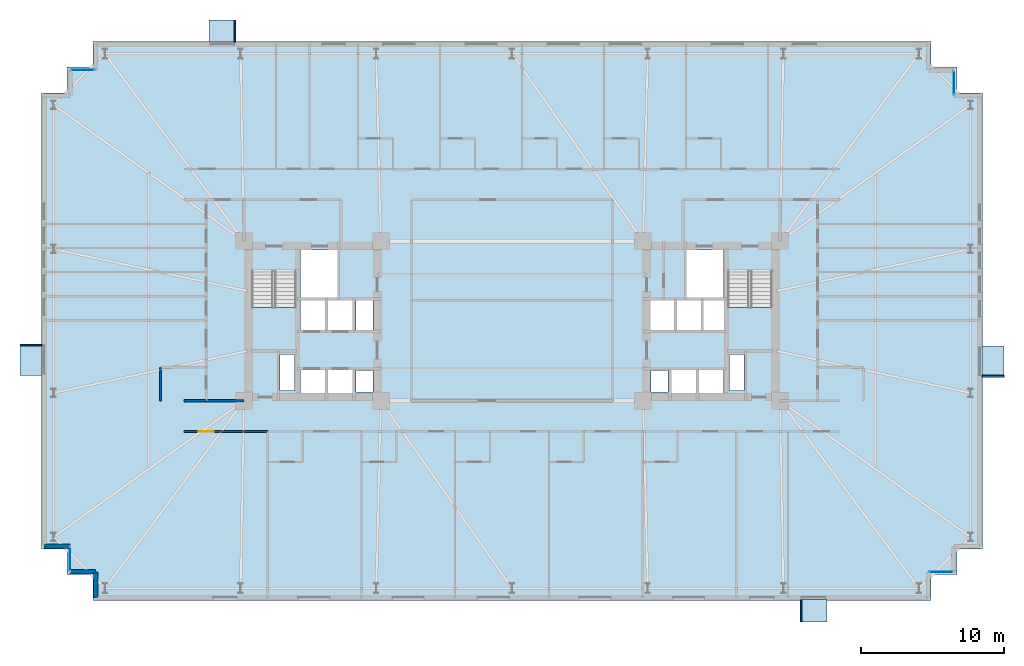
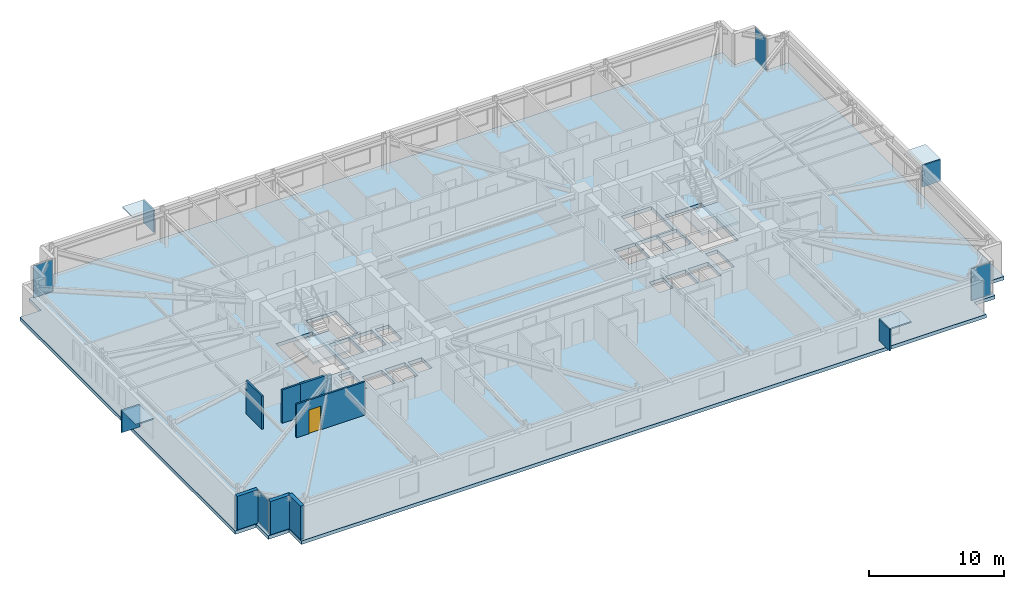
# One storey, part 13 of 21: 12 plates, 7 walls, 3 slabs, 1 door, 1 opening, 6 elements without a shape of their own.
"""IFC4 building model written with IfcOpenShell, lengths in metres."""

import ifcopenshell
import ifcopenshell.guid

model = None  # the IFC model being written
_history = None  # IfcOwnerHistory: only IFC2X3 demands one
_inside = {}  # id of a spatial element -> (the spatial element, [elements in it])
_under = {}  # id of a project, library or spatial element -> (it, [spatial elements below it])
_declared = {}  # id of a project -> (the project, [libraries it declares])
_typed = {}  # id of a type object -> (the type object, [elements of that type])
_made_of = {}  # id of a material, layer set ... -> (it, [elements and type objects made of it])


def new_model(schema):
    """Start an empty IFC model of exactly this schema.

    Asked for "IFC4X3", IfcOpenShell would pick the latest addendum, in which some entities
    have other attributes; the version numbers below select the first issue.
    IFC2X3 requires an IfcOwnerHistory on every rooted entity: one is made here for all.
    """
    global model, _history
    if schema == "IFC4X3":
        model = ifcopenshell.file(schema_version=(4, 3, 0, 0))
    else:
        model = ifcopenshell.file(schema=schema)
    _inside.clear()
    _under.clear()
    _declared.clear()
    _typed.clear()
    _made_of.clear()
    _history = None
    if model.schema == "IFC2X3":
        org = make("IfcOrganization", Name="unknown")
        user = make(
            "IfcPersonAndOrganization",
            ThePerson=make("IfcPerson", FamilyName="unknown"),
            TheOrganization=org,
        )
        app = make(
            "IfcApplication",
            ApplicationDeveloper=org,
            Version="unknown",
            ApplicationFullName="unknown",
            ApplicationIdentifier="unknown",
        )
        _history = make(
            "IfcOwnerHistory",
            OwningUser=user,
            OwningApplication=app,
            ChangeAction="ADDED",
            CreationDate=0,
        )
    return model


def make(cls, **values):
    """One entity of the class cls with the attributes given. An attribute that is None is left unset."""
    return model.create_entity(
        cls, **{name: value for name, value in values.items() if value is not None}
    )


def rooted(cls, **values):
    """An entity with a GlobalId (a new one), such as an element, a storey or a relation."""
    return make(cls, GlobalId=ifcopenshell.guid.new(), OwnerHistory=_history, **values)


def si_unit(unit_type, name, prefix=None):
    """IfcSIUnit, for example si_unit("LENGTHUNIT", "METRE", prefix="MILLI")."""
    return make("IfcSIUnit", UnitType=unit_type, Prefix=prefix, Name=name)


def assignment(units):
    """IfcUnitAssignment: the units of a project."""
    return None if units is None else make("IfcUnitAssignment", Units=units)


def point(xyz):
    """IfcCartesianPoint."""
    return None if xyz is None else make("IfcCartesianPoint", Coordinates=xyz)


def direction(xyz):
    """IfcDirection."""
    return None if xyz is None else make("IfcDirection", DirectionRatios=xyz)


def frame(location, z_axis=None, x_axis=None):
    """IfcAxis2Placement3D, a coordinate frame: its origin and axes. An axis left out is left unset."""
    return make(
        "IfcAxis2Placement3D",
        Location=point(location),
        Axis=direction(z_axis),
        RefDirection=direction(x_axis),
    )


def frame_2d(location, x_axis=None):
    """IfcAxis2Placement2D, a coordinate frame in the plane: its origin and x axis."""
    return make(
        "IfcAxis2Placement2D", Location=point(location), RefDirection=direction(x_axis)
    )


def origin():
    """The frame at (0, 0, 0) with its axes left unset."""
    return frame((0.0, 0.0, 0.0))


def origin_2d():
    """The frame at (0, 0) in the plane with its x axis left unset."""
    return frame_2d((0.0, 0.0))


def place(relative_to, where):
    """IfcLocalPlacement: puts the frame where relative to a parent placement (None: the world)."""
    return make(
        "IfcLocalPlacement", PlacementRelTo=relative_to, RelativePlacement=where
    )


def context(
    kind, dimensions, precision=None, world=None, true_north=None, identifier=None
):
    """IfcGeometricRepresentationContext, for example the 3D "Model" context."""
    return make(
        "IfcGeometricRepresentationContext",
        ContextIdentifier=identifier,
        ContextType=kind,
        CoordinateSpaceDimension=dimensions,
        Precision=precision,
        WorldCoordinateSystem=world,
        TrueNorth=true_north,
    )


def subcontext(parent, identifier, kind, view, scale=None):
    """IfcGeometricRepresentationSubContext, for example "Body" below "Model"."""
    return make(
        "IfcGeometricRepresentationSubContext",
        ContextIdentifier=identifier,
        ContextType=kind,
        ParentContext=parent,
        TargetScale=scale,
        TargetView=view,
    )


def project(units=None, contexts=None):
    """IfcProject with its units and contexts."""
    return rooted(
        "IfcProject",
        Name="project",
        RepresentationContexts=contexts,
        UnitsInContext=assignment(units),
    )


def spatial(cls, under=None, at=None, **own):
    """A site, building, storey or space (cls), placed at a placement, below another one or the project."""
    s = rooted(cls, ObjectPlacement=at, **own)
    if under is not None:
        _under.setdefault(under.id(), (under, []))[1].append(s)
    return s


def polyline(points):
    """IfcPolyline through the points."""
    return make("IfcPolyline", Points=[point(p) for p in points])


def profile(cls, at=None, kind="AREA", **sizes):
    """A parametric profile (cls). Its sizes go by their IFC names, for example OverallWidth=200.0."""
    return make(cls, ProfileType=kind, Position=at, **sizes)


def rectangle(**sizes):
    """IfcRectangleProfileDef."""
    return profile("IfcRectangleProfileDef", **sizes)


def outline(outer, holes=None, kind="AREA"):
    """IfcArbitraryClosedProfileDef: a profile drawn as a closed curve; with holes, ...WithVoids."""
    if holes is None:
        return make("IfcArbitraryClosedProfileDef", ProfileType=kind, OuterCurve=outer)
    return make(
        "IfcArbitraryProfileDefWithVoids",
        ProfileType=kind,
        OuterCurve=outer,
        InnerCurves=holes,
    )


def extrude(swept, where, along, depth):
    """IfcExtrudedAreaSolid: the profile swept, set in the frame where, extruded along a direction by depth."""
    return make(
        "IfcExtrudedAreaSolid",
        SweptArea=swept,
        Position=where,
        ExtrudedDirection=direction(along),
        Depth=depth,
    )


def shape(context_of_items, identifier, shape_type, items):
    """IfcShapeRepresentation: the items that make up one representation, for example the "Body"."""
    return make(
        "IfcShapeRepresentation",
        ContextOfItems=context_of_items,
        RepresentationIdentifier=identifier,
        RepresentationType=shape_type,
        Items=items,
    )


def material(Name=None, Category=None):
    """IfcMaterial."""
    return make("IfcMaterial", Name=Name, Category=Category)


def layer(
    of_material, thickness, ventilated=None, Name=None, Category=None, Priority=None
):
    """IfcMaterialLayer: one layer of a wall or slab, of a material (None: an air gap)."""
    return make(
        "IfcMaterialLayer",
        Material=of_material,
        LayerThickness=thickness,
        IsVentilated=ventilated,
        Name=Name,
        Category=Category,
        Priority=Priority,
    )


def layer_set(layers, Name=None):
    """IfcMaterialLayerSet."""
    return make("IfcMaterialLayerSet", MaterialLayers=layers, LayerSetName=Name)


def made_of(thing, what):
    """Note that an element or type object is made of a material, layer set ...; save() writes the relation."""
    if what is not None:
        _made_of.setdefault(what.id(), (what, []))[1].append(thing)
    return thing


def type_object(cls, material=None, **own):
    """A type object (cls), such as IfcWallType, which elements share."""
    return made_of(rooted(cls, **own), material)


def element(
    cls,
    number,
    at=None,
    inside=None,
    cuts=None,
    type_object=None,
    material=None,
    context=None,
    identifier="Body",
    shape_type=None,
    held_by="IfcProductDefinitionShape",
    body=None,
    shapes=None,
    **own,
):
    """One element of the class cls, such as IfcWall. Its Tag is "e" and its number.

    at: its placement. inside: the storey or other place that contains it. cuts: it is an
    opening in that element (IfcRelVoidsElement). A single representation is given by context,
    identifier, shape_type and body (its items); several are given by shapes. held_by: the class
    of the entity that holds the representations. save() writes the other relations.
    """
    e = rooted(cls, Tag="e%d" % number, ObjectPlacement=at, **own)
    if body is not None:
        shapes = [shape(context, identifier, shape_type, body)]
    if shapes is not None:
        e.Representation = make(held_by, Representations=shapes)
    if inside is not None:
        _inside.setdefault(inside.id(), (inside, []))[1].append(e)
    if cuts is not None:
        rooted(
            "IfcRelVoidsElement", RelatingBuildingElement=cuts, RelatedOpeningElement=e
        )
    if type_object is not None:
        _typed.setdefault(type_object.id(), (type_object, []))[1].append(e)
    return made_of(e, material)


def fill(opening, filler):
    """IfcRelFillsElement: the door or window that sits in an opening."""
    return rooted(
        "IfcRelFillsElement",
        RelatingOpeningElement=opening,
        RelatedBuildingElement=filler,
    )


def aggregate(whole, parts):
    """IfcRelAggregates: a whole, such as a stair, and the parts it consists of."""
    return rooted("IfcRelAggregates", RelatingObject=whole, RelatedObjects=parts)


def save(model, path):
    """Write the relations noted so far, then the file.

    IfcRelAggregates (storeys below a building ...), IfcRelContainedInSpatialStructure (elements
    in a storey), IfcRelDefinesByType, IfcRelAssociatesMaterial and IfcRelDeclares: one each for
    every whole, place, type object, material and project.
    """
    for whole, parts in _under.values():
        aggregate(whole, parts)
    for where, things in _inside.values():
        rooted(
            "IfcRelContainedInSpatialStructure",
            RelatedElements=things,
            RelatingStructure=where,
        )
    for kind, things in _typed.values():
        rooted("IfcRelDefinesByType", RelatedObjects=things, RelatingType=kind)
    for what, things in _made_of.values():
        rooted("IfcRelAssociatesMaterial", RelatedObjects=things, RelatingMaterial=what)
    for by, libraries in _declared.values():
        rooted("IfcRelDeclares", RelatingContext=by, RelatedDefinitions=libraries)
    model.write(path)


model = new_model("IFC4")

# Units and contexts
model_context = context("Model", 3, precision=1e-05, world=origin(), true_north=direction((0.0, 1.0)))
body_context = subcontext(model_context, "Body", "Model", "MODEL_VIEW")
ifc_project = project(units=[si_unit("LENGTHUNIT", "METRE"), si_unit("AREAUNIT", "SQUARE_METRE"), si_unit("VOLUMEUNIT", "CUBIC_METRE"), si_unit("PLANEANGLEUNIT", "RADIAN"), si_unit("MASSUNIT", "GRAM", prefix="KILO")], contexts=[model_context])

# Site, building, storey
site_placement = place(None, origin())
site = spatial("IfcSite", under=ifc_project, at=site_placement, CompositionType="ELEMENT")
building_placement = place(site_placement, origin())
building = spatial("IfcBuilding", under=site, at=building_placement, Name="Qobustan Lattice House", CompositionType="ELEMENT")
storey_placement = place(building_placement, frame((0.0, 0.0, 57.14990234375)))
storey = spatial("IfcBuildingStorey", under=building, at=storey_placement, Name="L15", CompositionType="ELEMENT", Elevation=57.14990234375)

# Curtain wall, plate
ifc_material_1 = material(Name="Anodised aluminium and low-E glazing", Category="aluminium")
ifc_layer_1 = layer(ifc_material_1, 0.219970703125)
ifc_layer_set_1 = layer_set([ifc_layer_1], Name="Anodised aluminium and low-E glazing")
curtain_wall_type = type_object("IfcCurtainWallType", Name="CW-FAC-01", PredefinedType="USERDEFINED", material=ifc_layer_set_1)
curtain_wall_1_placement = place(storey_placement, origin())
curtain_wall_1 = element("IfcCurtainWall", 1, at=curtain_wall_1_placement, inside=storey, type_object=curtain_wall_type, Name="L15 serrated corner faceted glazing 3", ObjectType="CURTAIN WALL", PredefinedType="USERDEFINED")
ifc_material_2 = material(Name="Clear low-E laminated glass", Category="glass")
ifc_layer_2 = layer(ifc_material_2, 0.031982421875)
ifc_layer_set_2 = layer_set([ifc_layer_2], Name="Clear low-E laminated glass")
plate_type_1 = type_object("IfcPlateType", Name="CWP-VISION-32", PredefinedType="CURTAIN_PANEL", material=ifc_layer_set_2)
plate_1_placement = place(storey_placement, frame((-31.0, -16.699951171875, 0.06494140625), z_axis=(0.0, 0.0, 1.0), x_axis=(0.0, 1.0, 0.0)))
plate_1 = element("IfcPlate", 2, at=plate_1_placement, type_object=plate_type_1, Name="CW-F1 panel 1.1", PredefinedType="CURTAIN_PANEL", context=body_context, shape_type="SweptSolid", body=[
    extrude(rectangle(XDim=1.659912109375, YDim=0.031982421875, at=origin_2d()), origin(), (0.0, 0.0, 1.0), 2.905029296875),
])
aggregate(curtain_wall_1, [plate_1])

curtain_wall_2_placement = place(storey_placement, origin())
curtain_wall_2 = element("IfcCurtainWall", 3, at=curtain_wall_2_placement, inside=storey, type_object=curtain_wall_type, Name="L15 serrated corner faceted glazing 8", ObjectType="CURTAIN WALL", PredefinedType="USERDEFINED")
plate_2_placement = place(storey_placement, frame((-30.10009765625, 17.60009765625, 0.06494140625), z_axis=(0.0, 0.0, 1.0), x_axis=(1.0, 0.0, 0.0)))
plate_2 = element("IfcPlate", 4, at=plate_2_placement, type_object=plate_type_1, Name="CW-F1 panel 1.1", PredefinedType="CURTAIN_PANEL", context=body_context, shape_type="SweptSolid", body=[
    extrude(rectangle(XDim=1.659912109375, YDim=0.031982421875, at=origin_2d()), origin(), (0.0, 0.0, 1.0), 2.905029296875),
])
aggregate(curtain_wall_2, [plate_2])

curtain_wall_3_placement = place(storey_placement, origin())
curtain_wall_3 = element("IfcCurtainWall", 5, at=curtain_wall_3_placement, inside=storey, type_object=curtain_wall_type, Name="L15 serrated corner faceted glazing 13", ObjectType="CURTAIN WALL", PredefinedType="USERDEFINED")
plate_3_placement = place(storey_placement, frame((31.0, 16.699951171875, 0.06494140625), z_axis=(0.0, 0.0, 1.0), x_axis=(0.0, -1.0, 0.0)))
plate_3 = element("IfcPlate", 6, at=plate_3_placement, type_object=plate_type_1, Name="CW-F1 panel 1.1", PredefinedType="CURTAIN_PANEL", context=body_context, shape_type="SweptSolid", body=[
    extrude(rectangle(XDim=1.659912109375, YDim=0.031982421875, at=origin_2d()), origin(), (0.0, 0.0, 1.0), 2.905029296875),
])
aggregate(curtain_wall_3, [plate_3])

curtain_wall_4_placement = place(storey_placement, origin())
curtain_wall_4 = element("IfcCurtainWall", 7, at=curtain_wall_4_placement, inside=storey, type_object=curtain_wall_type, Name="L15 serrated corner faceted glazing 18", ObjectType="CURTAIN WALL", PredefinedType="USERDEFINED")
plate_4_placement = place(storey_placement, frame((30.10009765625, -17.60009765625, 0.06494140625), z_axis=(0.0, 0.0, 1.0), x_axis=(-1.0, 0.0, 0.0)))
plate_4 = element("IfcPlate", 8, at=plate_4_placement, type_object=plate_type_1, Name="CW-F1 panel 1.1", PredefinedType="CURTAIN_PANEL", context=body_context, shape_type="SweptSolid", body=[
    extrude(rectangle(XDim=1.659912109375, YDim=0.031982421875, at=origin_2d()), origin(), (0.0, 0.0, 1.0), 2.905029296875),
])
aggregate(curtain_wall_4, [plate_4])

# Plates
ifc_material_3 = material(Name="Qobustan limestone GFRC", Category="masonry")
ifc_layer_3 = layer(ifc_material_3, 0.1201171875)
ifc_layer_set_3 = layer_set([ifc_layer_3], Name="Qobustan limestone GFRC")
plate_type_2 = type_object("IfcPlateType", Name="SHD-HOOD-BROW", PredefinedType="USERDEFINED", material=ifc_layer_set_3)
plate_5_placement = place(storey_placement, frame((-33.72998046875, -2.719970703125, 2.699951171875), z_axis=(0.0, 0.0, 1.0), x_axis=(0.0, 1.0, 0.0)))
element("IfcPlate", 9, at=plate_5_placement, inside=storey, type_object=plate_type_2, Name="L15 splayed Qobustan stone hood brow", ObjectType="SUNSHADE", PredefinedType="USERDEFINED", context=body_context, shape_type="SweptSolid", body=[
    extrude(rectangle(XDim=2.18994140625, YDim=1.56005859375, at=origin_2d()), origin(), (0.0, 0.0, 1.0), 0.1201171875),
])
plate_6_placement = place(storey_placement, frame((-33.72998046875, -1.68505859375, 0.7900390625), z_axis=(0.0, 0.0, 1.0), x_axis=(0.0, 1.0, 0.0)))
element("IfcPlate", 10, at=plate_6_placement, inside=storey, type_object=plate_type_2, Name="L15 splayed Qobustan stone hood cheek", ObjectType="SUNSHADE", PredefinedType="USERDEFINED", context=body_context, shape_type="SweptSolid", body=[
    extrude(rectangle(XDim=0.1201171875, YDim=1.56005859375, at=origin_2d()), origin(), (0.0, 0.0, 1.0), 1.969970703125),
])
plate_7_placement = place(storey_placement, frame((-20.3095703125, 20.330078125, 2.699951171875), z_axis=(0.0, 0.0, 1.0), x_axis=(1.0, 0.0, 0.0)))
element("IfcPlate", 11, at=plate_7_placement, inside=storey, type_object=plate_type_2, Name="L15 splayed Qobustan stone hood brow", ObjectType="SUNSHADE", PredefinedType="USERDEFINED", context=body_context, shape_type="SweptSolid", body=[
    extrude(rectangle(XDim=1.889892578125, YDim=1.56005859375, at=origin_2d()), origin(), (0.0, 0.0, 1.0), 0.1201171875),
])
plate_8_placement = place(storey_placement, frame((-19.424560546875, 20.330078125, 0.7900390625), z_axis=(0.0, 0.0, 1.0), x_axis=(1.0, 0.0, 0.0)))
element("IfcPlate", 12, at=plate_8_placement, inside=storey, type_object=plate_type_2, Name="L15 splayed Qobustan stone hood cheek", ObjectType="SUNSHADE", PredefinedType="USERDEFINED", context=body_context, shape_type="SweptSolid", body=[
    extrude(rectangle(XDim=0.1201171875, YDim=1.56005859375, at=origin_2d()), origin(), (0.0, 0.0, 1.0), 1.969970703125),
])
plate_9_placement = place(storey_placement, frame((33.72998046875, -2.840087890625, 2.699951171875), z_axis=(0.0, 0.0, 1.0), x_axis=(0.0, -1.0, 0.0)))
element("IfcPlate", 13, at=plate_9_placement, inside=storey, type_object=plate_type_2, Name="L15 splayed Qobustan stone hood brow", ObjectType="SUNSHADE", PredefinedType="USERDEFINED", context=body_context, shape_type="SweptSolid", body=[
    extrude(rectangle(XDim=2.18994140625, YDim=1.56005859375, at=origin_2d()), origin(), (0.0, 0.0, 1.0), 0.1201171875),
])
plate_10_placement = place(storey_placement, frame((33.72998046875, -3.875, 0.7900390625), z_axis=(0.0, 0.0, 1.0), x_axis=(0.0, -1.0, 0.0)))
element("IfcPlate", 14, at=plate_10_placement, inside=storey, type_object=plate_type_2, Name="L15 splayed Qobustan stone hood cheek", ObjectType="SUNSHADE", PredefinedType="USERDEFINED", context=body_context, shape_type="SweptSolid", body=[
    extrude(rectangle(XDim=0.1201171875, YDim=1.56005859375, at=origin_2d()), origin(), (0.0, 0.0, 1.0), 1.969970703125),
])
plate_11_placement = place(storey_placement, frame((21.159912109375, -20.330078125, 2.699951171875), z_axis=(0.0, 0.0, 1.0), x_axis=(-1.0, 0.0, 0.0)))
element("IfcPlate", 15, at=plate_11_placement, inside=storey, type_object=plate_type_2, Name="L15 splayed Qobustan stone hood brow", ObjectType="SUNSHADE", PredefinedType="USERDEFINED", context=body_context, shape_type="SweptSolid", body=[
    extrude(rectangle(XDim=1.889892578125, YDim=1.56005859375, at=origin_2d()), origin(), (0.0, 0.0, 1.0), 0.1201171875),
])
plate_12_placement = place(storey_placement, frame((20.27490234375, -20.330078125, 0.7900390625), z_axis=(0.0, 0.0, 1.0), x_axis=(-1.0, 0.0, 0.0)))
element("IfcPlate", 16, at=plate_12_placement, inside=storey, type_object=plate_type_2, Name="L15 splayed Qobustan stone hood cheek", ObjectType="SUNSHADE", PredefinedType="USERDEFINED", context=body_context, shape_type="SweptSolid", body=[
    extrude(rectangle(XDim=0.1201171875, YDim=1.56005859375, at=origin_2d()), origin(), (0.0, 0.0, 1.0), 1.969970703125),
])

# Slab
ifc_material_4 = material(Name="Concrete C40/50", Category="concrete")
ifc_layer_4 = layer(ifc_material_4, 0.31494140625)
ifc_layer_set_4 = layer_set([ifc_layer_4], Name="Concrete C40/50")
slab_type_1 = type_object("IfcSlabType", Name="SLB-FLR-315", PredefinedType="FLOOR", material=ifc_layer_set_4)
slab_1_placement = place(storey_placement, frame((0.0, 0.0, -0.31494140625)))
element("IfcSlab", 17, at=slab_1_placement, inside=storey, type_object=slab_type_1, Name="L15 structural floor slab", PredefinedType="FLOOR", context=body_context, shape_type="SweptSolid", body=[
    extrude(outline(polyline([(-29.39990234375, -19.60009765625), (29.39990234375, -19.60009765625), (29.39990234375, -17.800048828125), (31.199951171875, -17.800048828125), (31.199951171875, -16.0), (33.0, -16.0), (33.0, 16.0), (31.199951171875, 16.0), (31.199951171875, 17.800048828125), (29.39990234375, 17.800048828125), (29.39990234375, 19.60009765625), (-29.39990234375, 19.60009765625), (-29.39990234375, 17.800048828125), (-31.199951171875, 17.800048828125), (-31.199951171875, 16.0), (-33.0, 16.0), (-33.0, -16.0), (-31.199951171875, -16.0), (-31.199951171875, -17.800048828125), (-29.39990234375, -17.800048828125), (-29.39990234375, -19.60009765625)]), holes=[polyline([(-18.25, -2.050048828125), (-18.25, 3.489990234375), (-15.1298828125, 3.489990234375), (-15.1298828125, -2.050048828125), (-18.25, -2.050048828125)]), polyline([(15.1298828125, -2.050048828125), (15.1298828125, 3.489990234375), (18.25, 3.489990234375), (18.25, -2.050048828125), (15.1298828125, -2.050048828125)]), polyline([(-14.820068359375, 1.64990234375), (-14.820068359375, 4.9599609375), (-12.25, 4.9599609375), (-12.25, 1.64990234375), (-14.820068359375, 1.64990234375)]), polyline([(12.25, 1.64990234375), (12.25, 4.9599609375), (14.820068359375, 4.9599609375), (14.820068359375, 1.64990234375), (12.25, 1.64990234375)]), polyline([(-16.260009765625, -4.8798828125), (-16.260009765625, -2.360107421875), (-15.260009765625, -2.360107421875), (-15.260009765625, -4.8798828125), (-16.260009765625, -4.8798828125)]), polyline([(15.260009765625, -4.8798828125), (15.260009765625, -2.360107421875), (16.260009765625, -2.360107421875), (16.260009765625, -4.8798828125), (15.260009765625, -4.8798828125)]), polyline([(-14.85009765625, -5.35009765625), (-14.85009765625, -3.419921875), (-13.1201171875, -3.419921875), (-13.1201171875, -5.35009765625), (-14.85009765625, -5.35009765625)]), polyline([(-12.919921875, -5.35009765625), (-12.919921875, -3.419921875), (-11.179931640625, -3.419921875), (-11.179931640625, -5.35009765625), (-12.919921875, -5.35009765625)]), polyline([(-14.85009765625, -0.679931640625), (-14.85009765625, 1.47998046875), (-13.1201171875, 1.47998046875), (-13.1201171875, -0.679931640625), (-14.85009765625, -0.679931640625)]), polyline([(-12.919921875, -0.679931640625), (-12.919921875, 1.47998046875), (-11.179931640625, 1.47998046875), (-11.179931640625, -0.679931640625), (-12.919921875, -0.679931640625)]), polyline([(-10.93994140625, -5.0), (-10.93994140625, -3.47998046875), (-9.760009765625, -3.47998046875), (-9.760009765625, -5.0), (-10.93994140625, -5.0)]), polyline([(-10.93994140625, -0.6201171875), (-10.93994140625, 1.419921875), (-9.760009765625, 1.419921875), (-9.760009765625, -0.6201171875), (-10.93994140625, -0.6201171875)]), polyline([(11.179931640625, -5.35009765625), (11.179931640625, -3.419921875), (12.919921875, -3.419921875), (12.919921875, -5.35009765625), (11.179931640625, -5.35009765625)]), polyline([(13.1201171875, -5.35009765625), (13.1201171875, -3.419921875), (14.85009765625, -3.419921875), (14.85009765625, -5.35009765625), (13.1201171875, -5.35009765625)]), polyline([(9.760009765625, -5.0), (9.760009765625, -3.47998046875), (10.93994140625, -3.47998046875), (10.93994140625, -5.0), (9.760009765625, -5.0)]), polyline([(13.360107421875, -0.679931640625), (13.360107421875, 1.47998046875), (14.97998046875, 1.47998046875), (14.97998046875, -0.679931640625), (13.360107421875, -0.679931640625)]), polyline([(9.6201171875, -0.679931640625), (9.6201171875, 1.47998046875), (11.43994140625, 1.47998046875), (11.43994140625, -0.679931640625), (9.6201171875, -0.679931640625)]), polyline([(11.5, -0.679931640625), (11.5, 1.47998046875), (13.320068359375, 1.47998046875), (13.320068359375, -0.679931640625), (11.5, -0.679931640625)])]), origin(), (0.0, 0.0, 1.0), 0.31494140625),
])

# Stair, slab
ifc_material_5 = material(Name="Concrete C40/50", Category="concrete")
stair_type = type_object("IfcStairType", Name="STR-CORE-DOGLEG", PredefinedType="HALF_TURN_STAIR", material=ifc_material_5)
stair_1_placement = place(storey_placement, origin())
stair_1 = element("IfcStair", 18, at=stair_1_placement, inside=storey, type_object=stair_type, Name="L15 West protected exit stair ST-W1", PredefinedType="HALF_TURN_STAIR")
ifc_material_6 = material(Name="Concrete C40/50", Category="concrete")
ifc_layer_5 = layer(ifc_material_6, 0.199951171875)
ifc_layer_set_5 = layer_set([ifc_layer_5], Name="Concrete C40/50")
slab_type_2 = type_object("IfcSlabType", Name="SLB-LANDING-200", PredefinedType="LANDING", material=ifc_layer_set_5)
slab_2_placement = place(storey_placement, frame((0.0, 0.0, 1.47509765625)))
slab_2 = element("IfcSlab", 19, at=slab_2_placement, type_object=slab_type_2, Name="ST-W1 landing 1", PredefinedType="LANDING", context=body_context, shape_type="SweptSolid", body=[
    extrude(outline(polyline([(-18.25, 0.93505859375), (-18.25, -2.050048828125), (-15.1298828125, -2.050048828125), (-15.1298828125, 0.93505859375), (-18.25, 0.93505859375)])), origin(), (0.0, 0.0, 1.0), 0.199951171875),
])
aggregate(stair_1, [slab_2])

stair_2_placement = place(storey_placement, origin())
stair_2 = element("IfcStair", 20, at=stair_2_placement, inside=storey, type_object=stair_type, Name="L15 East protected exit stair ST-E1", PredefinedType="HALF_TURN_STAIR")
slab_3_placement = place(storey_placement, frame((0.0, 0.0, 1.47509765625)))
slab_3 = element("IfcSlab", 21, at=slab_3_placement, type_object=slab_type_2, Name="ST-E1 landing 1", PredefinedType="LANDING", context=body_context, shape_type="SweptSolid", body=[
    extrude(outline(polyline([(15.1298828125, 0.93505859375), (15.1298828125, -2.050048828125), (18.25, -2.050048828125), (18.25, 0.93505859375), (15.1298828125, 0.93505859375)])), origin(), (0.0, 0.0, 1.0), 0.199951171875),
])
aggregate(stair_2, [slab_3])

# Walls
ifc_material_7 = material(Name="Precast concrete C40/50", Category="concrete")
ifc_layer_6 = layer(ifc_material_7, 0.320068359375)
ifc_layer_set_6 = layer_set([ifc_layer_6], Name="Precast concrete C40/50")
wall_type_1 = type_object("IfcWallType", Name="WAL-EXT-STONE-320", PredefinedType="SOLIDWALL", material=ifc_layer_set_6)
wall_1_placement = place(storey_placement, frame((-29.199951171875, -19.39990234375, 0.0), z_axis=(0.0, 0.0, 1.0), x_axis=(0.0, 1.0, 0.0)))
element("IfcWall", 22, at=wall_1_placement, inside=storey, type_object=wall_type_1, Name="L15 exterior limestone-clad wall 1", PredefinedType="SOLIDWALL", context=body_context, shape_type="SweptSolid", body=[
    extrude(rectangle(XDim=1.7998046875, YDim=0.320068359375, at=frame_2d((0.89990234375, 0.0))), origin(), (0.0, 0.0, 1.0), 3.03515625),
])
for number, where, z_axis, x_axis, name in (
    (23, (-29.199951171875, -17.60009765625, 0.0), (0.0, 0.0, 1.0), (-1.0, 0.0, 0.0), "L15 exterior limestone-clad wall 2"),
    (24, (-31.0, -15.800048828125, 0.0), (0.0, 0.0, 1.0), (-1.0, 0.0, 0.0), "L15 exterior limestone-clad wall 4"),
):
    element("IfcWall", number, at=place(storey_placement, frame(where, z_axis=z_axis, x_axis=x_axis)), inside=storey, type_object=wall_type_1, Name=name, PredefinedType="SOLIDWALL", context=body_context, shape_type="SweptSolid", body=[
        extrude(rectangle(XDim=1.800048828125, YDim=0.320068359375, at=frame_2d((0.89990234375, 0.0))), origin(), (0.0, 0.0, 1.0), 3.03515625),
    ])
ifc_material_8 = material(Name="Gypsum fireboard acoustic partition", Category="gypsum")
ifc_layer_7 = layer(ifc_material_8, 0.179931640625)
ifc_layer_set_7 = layer_set([ifc_layer_7], Name="Gypsum fireboard acoustic partition")
wall_type_2 = type_object("IfcWallType", Name="WAL-FIRE-180", PredefinedType="PARTITIONING", material=ifc_layer_set_7)
wall_2_placement = place(storey_placement, frame((-21.449951171875, -5.60009765625, 0.0), z_axis=(0.0, 0.0, 1.0), x_axis=(1.0, 0.0, 0.0)))
element("IfcWall", 25, at=wall_2_placement, inside=storey, type_object=wall_type_2, Name="L15 interior partition 57", PredefinedType="PARTITIONING", context=body_context, shape_type="SweptSolid", body=[
    extrude(rectangle(XDim=2.64990234375, YDim=0.179931640625, at=frame_2d((1.324951171875, 0.0))), origin(), (0.0, 0.0, 1.0), 3.03515625),
])

# Wall, opening, door
ifc_material_9 = material(Name="Acoustic twin-stud gypsum partition", Category="gypsum")
ifc_layer_8 = layer(ifc_material_9, 0.14990234375)
ifc_layer_set_8 = layer_set([ifc_layer_8], Name="Acoustic twin-stud gypsum partition")
wall_type_3 = type_object("IfcWallType", Name="WAL-PART-150", PredefinedType="PARTITIONING", material=ifc_layer_set_8)
wall_3_placement = place(storey_placement, frame((-17.12890625, -7.75, 0.0), z_axis=(0.0, 0.0, 1.0), x_axis=(-1.0, 0.0, 0.0)))
wall_3 = element("IfcWall", 26, at=wall_3_placement, inside=storey, type_object=wall_type_3, Name="L15 interior partition 59", PredefinedType="PARTITIONING", context=body_context, shape_type="SweptSolid", body=[
    extrude(rectangle(XDim=5.87109375, YDim=0.14990234375, at=frame_2d((2.935546875, 0.0))), origin(), (0.0, 0.0, 1.0), 3.03515625),
])
opening_placement = place(wall_3_placement, frame((3.783447265625, 0.0, 0.0)))
opening = element("IfcOpeningElement", 27, at=opening_placement, cuts=wall_3, Name="Opening ID-02", PredefinedType="OPENING", context=body_context, shape_type="SweptSolid", body=[
    extrude(rectangle(XDim=1.050048828125, YDim=2.14990234375, at=frame_2d((0.52490234375, 1.074951171875))), frame((0.0, 0.0849609375, 0.0), z_axis=(0.0, -1.0, 0.0), x_axis=(1.0, 0.0, 0.0)), (0.0, 0.0, 1.0), 0.169921875),
])
ifc_material_10 = material(Name="Persian walnut timber and steel frame door", Category="steel")
door_type = type_object("IfcDoorType", Name="DOR-STUDY-1050x2150", OperationType="NOTDEFINED", PredefinedType="DOOR", material=ifc_material_10)
door_placement = place(opening_placement, origin())
door = element("IfcDoor", 28, at=door_placement, inside=storey, type_object=door_type, Name="L15 South-west floor corridor to Focus study room S1 door", OperationType="SINGLE_SWING_LEFT", OverallHeight=2.14990234375, OverallWidth=1.050048828125, PredefinedType="DOOR", context=body_context, shape_type="SweptSolid", body=[
    extrude(rectangle(XDim=1.050048828125, YDim=2.14990234375, at=frame_2d((0.52490234375, 1.074951171875))), frame((0.0, 0.02490234375, 0.0), z_axis=(0.0, -1.0, 0.0), x_axis=(1.0, 0.0, 0.0)), (0.0, 0.0, 1.0), 0.050048828125),
])
fill(opening, door)

# Walls
ifc_material_11 = material(Name="Moisture-resistant acoustic plumbing wall", Category="gypsum")
ifc_layer_9 = layer(ifc_material_11, 0.14990234375)
ifc_layer_set_9 = layer_set([ifc_layer_9], Name="Moisture-resistant acoustic plumbing wall")
wall_type_4 = type_object("IfcWallType", Name="WAL-WET-150", PredefinedType="PLUMBINGWALL", material=ifc_layer_set_9)
wall_4_placement = place(storey_placement, frame((-23.0, -5.60009765625, 0.0), z_axis=(0.0, 0.0, 1.0), x_axis=(1.0, 0.0, 0.0)))
element("IfcWall", 29, at=wall_4_placement, inside=storey, type_object=wall_type_4, Name="L15 interior partition 58", PredefinedType="PLUMBINGWALL", context=body_context, shape_type="SweptSolid", body=[
    extrude(rectangle(XDim=1.550048828125, YDim=0.14990234375, at=frame_2d((0.77490234375, 0.0))), origin(), (0.0, 0.0, 1.0), 3.03515625),
])
wall_5_placement = place(storey_placement, frame((-24.64990234375, -5.60009765625, 0.0), z_axis=(0.0, 0.0, 1.0), x_axis=(0.0, 1.0, 0.0)))
element("IfcWall", 30, at=wall_5_placement, inside=storey, type_object=wall_type_4, Name="L15 interior partition 89", PredefinedType="PLUMBINGWALL", context=body_context, shape_type="SweptSolid", body=[
    extrude(rectangle(XDim=2.35009765625, YDim=0.14990234375, at=frame_2d((1.175048828125, 0.0))), origin(), (0.0, 0.0, 1.0), 3.03515625),
])

save(model, "model.ifc")
